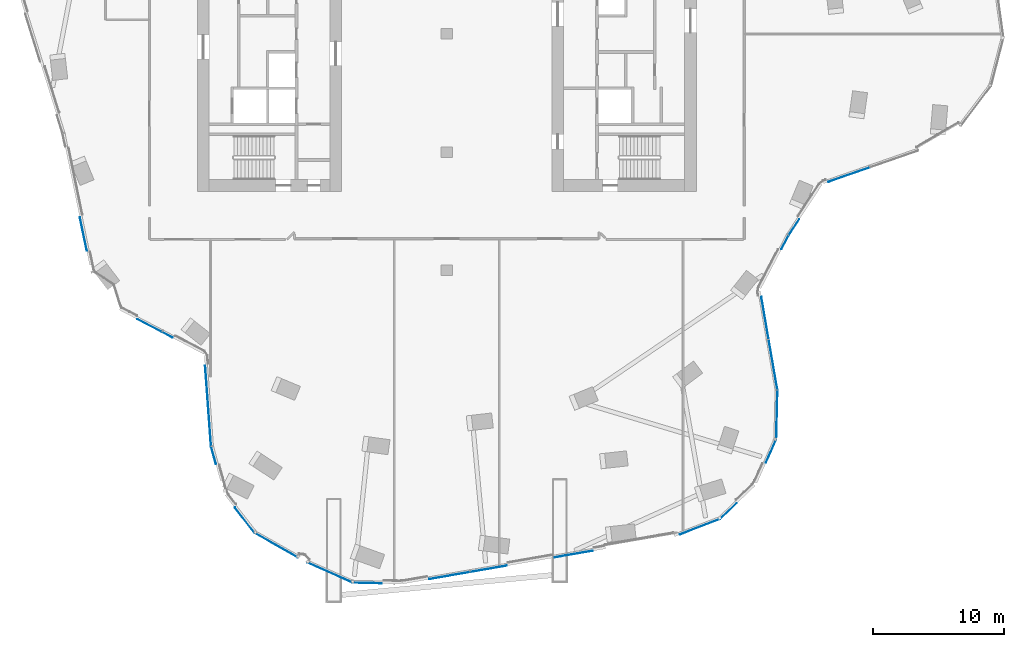
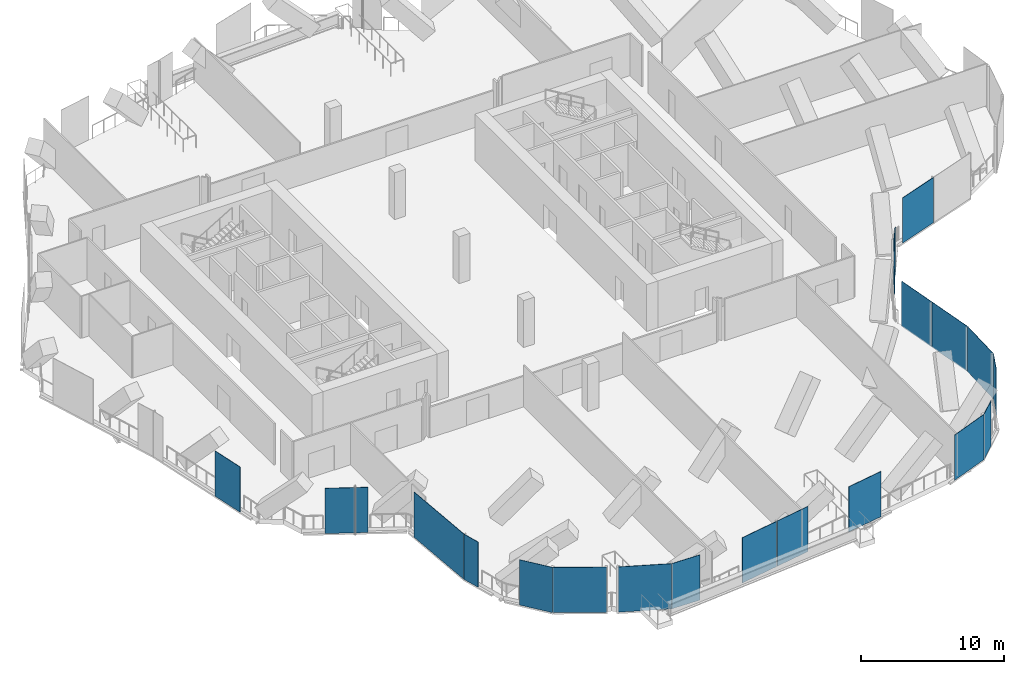
# One storey, part 14 of 26: 21 plates, 17 elements without a shape of their own.
"""IFC4 building model written with IfcOpenShell, lengths in metres."""

from ifc_helpers import new_model, si_unit, direction, frame, origin, origin_2d, place, context, subcontext, project, spatial, rectangle, extrude, material, layer, layer_set, type_object, element, aggregate, save


model = new_model("IFC4")

# Units and contexts
model_context = context("Model", 3, precision=1e-05, world=origin(), true_north=direction((0.0, 1.0)))
body_context = subcontext(model_context, "Body", "Model", "MODEL_VIEW")
ifc_project = project(units=[si_unit("LENGTHUNIT", "METRE"), si_unit("AREAUNIT", "SQUARE_METRE"), si_unit("VOLUMEUNIT", "CUBIC_METRE"), si_unit("PLANEANGLEUNIT", "RADIAN"), si_unit("MASSUNIT", "GRAM", prefix="KILO")], contexts=[model_context])

# Site, building, storey
site_placement = place(None, origin())
site = spatial("IfcSite", under=ifc_project, at=site_placement, CompositionType="ELEMENT")
building_placement = place(site_placement, origin())
building = spatial("IfcBuilding", under=site, at=building_placement, Name="Orlundy Tower", CompositionType="ELEMENT")
storey_placement = place(building_placement, frame((0.0, 0.0, 249.5)))
storey = spatial("IfcBuildingStorey", under=building, at=storey_placement, Name="L66", CompositionType="ELEMENT", Elevation=249.5)

# Curtain wall, plate
ifc_material_1 = material(Name="Aluminium bronze anodised", Category="aluminium")
curtain_wall_type = type_object("IfcCurtainWallType", Name="CW5 wall", PredefinedType="NOTDEFINED", material=ifc_material_1)
curtain_wall_1_placement = place(storey_placement, origin())
curtain_wall_1 = element("IfcCurtainWall", 1, at=curtain_wall_1_placement, inside=storey, type_object=curtain_wall_type, Name="CW5 run 02", PredefinedType="NOTDEFINED")
ifc_material_2 = material(Name="Tinted glass", Category="glass")
ifc_layer_1 = layer(ifc_material_2, 0.031982421875)
ifc_layer_set_1 = layer_set([ifc_layer_1], Name="CW5 glass panel 32")
plate_type_1 = type_object("IfcPlateType", Name="CW5 glass panel 32", PredefinedType="CURTAIN_PANEL", material=ifc_layer_set_1)
plate_1_placement = place(storey_placement, frame((-27.675048828125, -15.232666015625, -0.2802734375), z_axis=(0.0, 0.0, 1.0), x_axis=(-0.202194510718, 0.979345383323, 0.0)))
plate_1 = element("IfcPlate", 2, at=plate_1_placement, type_object=plate_type_1, Name="CW5 panel", PredefinedType="CURTAIN_PANEL", context=body_context, shape_type="SweptSolid", body=[
    extrude(rectangle(XDim=2.615478515625, YDim=0.031982421875, at=origin_2d()), origin(), (0.0, 0.0, 1.0), 3.860107421875),
])
aggregate(curtain_wall_1, [plate_1])

curtain_wall_2_placement = place(storey_placement, origin())
curtain_wall_2 = element("IfcCurtainWall", 3, at=curtain_wall_2_placement, inside=storey, type_object=curtain_wall_type, Name="CW5 run 029", PredefinedType="NOTDEFINED")
plate_2_placement = place(storey_placement, frame((26.449951171875, -14.712646484375, -0.2802734375), z_axis=(0.0, 0.0, 1.0), x_axis=(-0.549546997967, -0.835462804094, 0.0)))
plate_2 = element("IfcPlate", 4, at=plate_2_placement, type_object=plate_type_1, Name="CW5 panel", PredefinedType="CURTAIN_PANEL", context=body_context, shape_type="SweptSolid", body=[
    extrude(rectangle(XDim=1.443359375, YDim=0.031982421875, at=origin_2d()), origin(), (0.0, 0.0, 1.0), 3.860107421875),
])
aggregate(curtain_wall_2, [plate_2])

curtain_wall_3_placement = place(storey_placement, origin())
curtain_wall_3 = element("IfcCurtainWall", 5, at=curtain_wall_3_placement, inside=storey, type_object=curtain_wall_type, Name="CW5 run 030", PredefinedType="NOTDEFINED")
plate_3_placement = place(storey_placement, frame((25.754638671875, -15.88037109375, -0.2802734375), z_axis=(0.0, 0.0, 1.0), x_axis=(-0.464273870718, -0.885691691825, 0.0)))
plate_3 = element("IfcPlate", 6, at=plate_3_placement, type_object=plate_type_1, Name="CW5 panel", PredefinedType="CURTAIN_PANEL", context=body_context, shape_type="SweptSolid", body=[
    extrude(rectangle(XDim=1.17822265625, YDim=0.031982421875, at=origin_2d()), origin(), (0.0, 0.0, 1.0), 3.860107421875),
])
aggregate(curtain_wall_3, [plate_3])

curtain_wall_4_placement = place(storey_placement, origin())
curtain_wall_4 = element("IfcCurtainWall", 7, at=curtain_wall_4_placement, inside=storey, type_object=curtain_wall_type, Name="CW5 run 031", PredefinedType="NOTDEFINED")
plate_4_placement = place(storey_placement, frame((24.8505859375, -25.18896484375, -0.2802734375), z_axis=(0.0, 0.0, 1.0), x_axis=(0.170728522047, -0.985318106887, 0.0)))
plate_4 = element("IfcPlate", 8, at=plate_4_placement, type_object=plate_type_1, Name="CW5 panel", PredefinedType="CURTAIN_PANEL", context=body_context, shape_type="SweptSolid", body=[
    extrude(rectangle(XDim=3.860107421875, YDim=0.031982421875, at=origin_2d()), origin(), (0.0, 0.0, 1.0), 3.860107421875),
])

curtain_wall_5_placement = place(storey_placement, origin())
curtain_wall_5 = element("IfcCurtainWall", 9, at=curtain_wall_5_placement, inside=storey, type_object=curtain_wall_type, Name="CW5 run 032", PredefinedType="NOTDEFINED")
plate_5_placement = place(storey_placement, frame((25.137939453125, -29.0078125, -0.2802734375), z_axis=(0.0, 0.0, 1.0), x_axis=(-0.024553998372, -0.999698505132, 0.0)))
plate_5 = element("IfcPlate", 10, at=plate_5_placement, type_object=plate_type_1, Name="CW5 panel", PredefinedType="CURTAIN_PANEL", context=body_context, shape_type="SweptSolid", body=[
    extrude(rectangle(XDim=3.735595703125, YDim=0.031982421875, at=origin_2d()), origin(), (0.0, 0.0, 1.0), 3.860107421875),
])
aggregate(curtain_wall_5, [plate_5])

curtain_wall_6_placement = place(storey_placement, origin())
curtain_wall_6 = element("IfcCurtainWall", 11, at=curtain_wall_6_placement, inside=storey, type_object=curtain_wall_type, Name="CW5 run 034", PredefinedType="NOTDEFINED")
plate_6_placement = place(storey_placement, frame((21.45166015625, -36.336669921875, -0.2802734375), z_axis=(0.0, 0.0, 1.0), x_axis=(-0.7244266007, -0.689351942188, 0.0)))
plate_6 = element("IfcPlate", 12, at=plate_6_placement, type_object=plate_type_1, Name="CW5 panel", PredefinedType="CURTAIN_PANEL", context=body_context, shape_type="SweptSolid", body=[
    extrude(rectangle(XDim=1.740234375, YDim=0.031982421875, at=origin_2d()), origin(), (0.0, 0.0, 1.0), 3.860107421875),
])
aggregate(curtain_wall_6, [plate_6])

curtain_wall_7_placement = place(storey_placement, origin())
curtain_wall_7 = element("IfcCurtainWall", 13, at=curtain_wall_7_placement, inside=storey, type_object=curtain_wall_type, Name="CW5 run 035", PredefinedType="NOTDEFINED")
plate_7_placement = place(storey_placement, frame((19.291748046875, -37.5263671875, -0.2802734375), z_axis=(0.0, 0.0, 1.0), x_axis=(-0.933018476944, -0.359828461467, 0.0)))
plate_7 = element("IfcPlate", 14, at=plate_7_placement, type_object=plate_type_1, Name="CW5 panel", PredefinedType="CURTAIN_PANEL", context=body_context, shape_type="SweptSolid", body=[
    extrude(rectangle(XDim=3.279052734375, YDim=0.031982421875, at=origin_2d()), origin(), (0.0, 0.0, 1.0), 3.860107421875),
])
aggregate(curtain_wall_7, [plate_7])

# Curtain wall, plates
curtain_wall_8_placement = place(storey_placement, origin())
curtain_wall_8 = element("IfcCurtainWall", 15, at=curtain_wall_8_placement, inside=storey, type_object=curtain_wall_type, Name="CW5 run 036", PredefinedType="NOTDEFINED")
plate_8_placement = place(storey_placement, frame((9.65966796875, -39.6162109375, -0.2802734375), z_axis=(0.0, 0.0, 1.0), x_axis=(-0.985311546096, -0.170766381732, 0.0)))
plate_8 = element("IfcPlate", 16, at=plate_8_placement, type_object=plate_type_1, Name="CW5 panel", PredefinedType="CURTAIN_PANEL", context=body_context, shape_type="SweptSolid", body=[
    extrude(rectangle(XDim=2.946044921875, YDim=0.031982421875, at=origin_2d()), origin(), (0.0, 0.0, 1.0), 3.860107421875),
])
plate_9_placement = place(storey_placement, frame((3.184326171875, -40.738525390625, -0.2802734375), z_axis=(0.0, 0.0, 1.0), x_axis=(-0.985311546096, -0.170766381732, 0.0)))
plate_9 = element("IfcPlate", 17, at=plate_9_placement, type_object=plate_type_1, Name="CW5 panel", PredefinedType="CURTAIN_PANEL", context=body_context, shape_type="SweptSolid", body=[
    extrude(rectangle(XDim=2.810546875, YDim=0.031982421875, at=origin_2d()), origin(), (0.0, 0.0, 1.0), 3.860107421875),
])

# Curtain wall, plate
curtain_wall_9_placement = place(storey_placement, origin())
curtain_wall_9 = element("IfcCurtainWall", 18, at=curtain_wall_9_placement, inside=storey, type_object=curtain_wall_type, Name="CW5 run 037", PredefinedType="NOTDEFINED")
plate_10_placement = place(storey_placement, frame((-6.0595703125, -41.8173828125, -0.2802734375), z_axis=(0.0, 0.0, 1.0), x_axis=(-0.999698667743, 0.024547376896, 0.0)))
plate_10 = element("IfcPlate", 19, at=plate_10_placement, type_object=plate_type_1, Name="CW5 panel", PredefinedType="CURTAIN_PANEL", context=body_context, shape_type="SweptSolid", body=[
    extrude(rectangle(XDim=2.23388671875, YDim=0.031982421875, at=origin_2d()), origin(), (0.0, 0.0, 1.0), 3.860107421875),
])
aggregate(curtain_wall_9, [plate_10])

curtain_wall_10_placement = place(storey_placement, origin())
curtain_wall_10 = element("IfcCurtainWall", 20, at=curtain_wall_10_placement, inside=storey, type_object=curtain_wall_type, Name="CW5 run 038", PredefinedType="NOTDEFINED")
plate_11_placement = place(storey_placement, frame((-8.903564453125, -41.023681640625, -0.2802734375), z_axis=(0.0, 0.0, 1.0), x_axis=(-0.914089480805, 0.405512541213, 0.0)))
plate_11 = element("IfcPlate", 21, at=plate_11_placement, type_object=plate_type_1, Name="CW5 panel", PredefinedType="CURTAIN_PANEL", context=body_context, shape_type="SweptSolid", body=[
    extrude(rectangle(XDim=3.779541015625, YDim=0.031982421875, at=origin_2d()), origin(), (0.0, 0.0, 1.0), 3.860107421875),
])
aggregate(curtain_wall_10, [plate_11])

curtain_wall_11_placement = place(storey_placement, origin())
curtain_wall_11 = element("IfcCurtainWall", 22, at=curtain_wall_11_placement, inside=storey, type_object=curtain_wall_type, Name="CW5 run 041", PredefinedType="NOTDEFINED")
plate_12_placement = place(storey_placement, frame((-12.9833984375, -38.946044921875, -0.2802734375), z_axis=(0.0, 0.0, 1.0), x_axis=(-0.869601381531, 0.493754430095, 0.0)))
plate_12 = element("IfcPlate", 23, at=plate_12_placement, type_object=plate_type_1, Name="CW5 panel", PredefinedType="CURTAIN_PANEL", context=body_context, shape_type="SweptSolid", body=[
    extrude(rectangle(XDim=3.779541015625, YDim=0.031982421875, at=origin_2d()), origin(), (0.0, 0.0, 1.0), 3.860107421875),
])
aggregate(curtain_wall_11, [plate_12])

curtain_wall_12_placement = place(storey_placement, origin())
curtain_wall_12 = element("IfcCurtainWall", 24, at=curtain_wall_12_placement, inside=storey, type_object=curtain_wall_type, Name="CW5 run 043", PredefinedType="NOTDEFINED")
plate_13_placement = place(storey_placement, frame((-17.760009765625, -32.091552734375, -0.2802734375), z_axis=(0.0, 0.0, 1.0), x_axis=(-0.265764722051, 0.964037920682, 0.0)))
plate_13 = element("IfcPlate", 25, at=plate_13_placement, type_object=plate_type_1, Name="CW5 panel", PredefinedType="CURTAIN_PANEL", context=body_context, shape_type="SweptSolid", body=[
    extrude(rectangle(XDim=1.373046875, YDim=0.031982421875, at=origin_2d()), origin(), (0.0, 0.0, 1.0), 3.860107421875),
])
aggregate(curtain_wall_12, [plate_13])

curtain_wall_13_placement = place(storey_placement, origin())
curtain_wall_13 = element("IfcCurtainWall", 26, at=curtain_wall_13_placement, inside=storey, type_object=curtain_wall_type, Name="CW5 run 044", PredefinedType="NOTDEFINED")
plate_14_placement = place(storey_placement, frame((-18.17431640625, -28.31787109375, -0.2802734375), z_axis=(0.0, 0.0, 1.0), x_axis=(-0.072757131173, 0.997349687855, 0.0)))
plate_14 = element("IfcPlate", 27, at=plate_14_placement, type_object=plate_type_1, Name="CW5 panel", PredefinedType="CURTAIN_PANEL", context=body_context, shape_type="SweptSolid", body=[
    extrude(rectangle(XDim=6.14111328125, YDim=0.031982421875, at=origin_2d()), origin(), (0.0, 0.0, 1.0), 3.860107421875),
])
aggregate(curtain_wall_13, [plate_14])

curtain_wall_14_placement = place(storey_placement, origin())
curtain_wall_14 = element("IfcCurtainWall", 28, at=curtain_wall_14_placement, inside=storey, type_object=curtain_wall_type, Name="CW5 run 045", PredefinedType="NOTDEFINED")
plate_15_placement = place(storey_placement, frame((-22.638671875, -22.211669921875, -0.2802734375), z_axis=(0.0, 0.0, 1.0), x_axis=(-0.88565945394, 0.464335365493, 0.0)))
plate_15 = element("IfcPlate", 29, at=plate_15_placement, type_object=plate_type_1, Name="CW5 panel", PredefinedType="CURTAIN_PANEL", context=body_context, shape_type="SweptSolid", body=[
    extrude(rectangle(XDim=2.080810546875, YDim=0.031982421875, at=origin_2d()), origin(), (0.0, 0.0, 1.0), 3.860107421875),
])

curtain_wall_15_placement = place(storey_placement, origin())
curtain_wall_15 = element("IfcCurtainWall", 30, at=curtain_wall_15_placement, inside=storey, type_object=curtain_wall_type, Name="CW5 run 028", PredefinedType="NOTDEFINED")
ifc_material_3 = material(Name="Tinted glass", Category="glass")
ifc_layer_2 = layer(ifc_material_3, 0.031982421875)
ifc_layer_set_2 = layer_set([ifc_layer_2], Name="CW5 vent panel 32")
plate_type_2 = type_object("IfcPlateType", Name="CW5 vent panel 32", PredefinedType="CURTAIN_PANEL", material=ifc_layer_set_2)
plate_16_placement = place(storey_placement, frame((30.638671875, -10.718994140625, -0.2802734375), z_axis=(0.0, 0.0, 1.0), x_axis=(-0.944599002584, -0.328226635601, 0.0)))
plate_16 = element("IfcPlate", 31, at=plate_16_placement, type_object=plate_type_2, Name="CW5 panel", PredefinedType="CURTAIN_PANEL", context=body_context, shape_type="SweptSolid", body=[
    extrude(rectangle(XDim=3.3232421875, YDim=0.031982421875, at=origin_2d()), origin(), (0.0, 0.0, 1.0), 3.860107421875),
])
aggregate(curtain_wall_15, [plate_16])

# Plate
plate_17_placement = place(storey_placement, frame((24.2353515625, -21.6376953125, -0.2802734375), z_axis=(0.0, 0.0, 1.0), x_axis=(0.170728522047, -0.985318106887, 0.0)))
plate_17 = element("IfcPlate", 32, at=plate_17_placement, type_object=plate_type_2, Name="CW5 panel", PredefinedType="CURTAIN_PANEL", context=body_context, shape_type="SweptSolid", body=[
    extrude(rectangle(XDim=3.248291015625, YDim=0.031982421875, at=origin_2d()), origin(), (0.0, 0.0, 1.0), 3.860107421875),
])

aggregate(curtain_wall_4, [plate_17, plate_4])

# Curtain wall, plate
curtain_wall_16_placement = place(storey_placement, origin())
curtain_wall_16 = element("IfcCurtainWall", 33, at=curtain_wall_16_placement, inside=storey, type_object=curtain_wall_type, Name="CW5 run 033", PredefinedType="NOTDEFINED")
plate_18_placement = place(storey_placement, frame((24.6953125, -31.769775390625, -0.2802734375), z_axis=(0.0, 0.0, 1.0), x_axis=(-0.405412554633, -0.914133830763, 0.0)))
plate_18 = element("IfcPlate", 34, at=plate_18_placement, type_object=plate_type_2, Name="CW5 panel", PredefinedType="CURTAIN_PANEL", context=body_context, shape_type="SweptSolid", body=[
    extrude(rectangle(XDim=1.957275390625, YDim=0.031982421875, at=origin_2d()), origin(), (0.0, 0.0, 1.0), 3.860107421875),
])
aggregate(curtain_wall_16, [plate_18])

# Plate
plate_19_placement = place(storey_placement, frame((0.2060546875, -41.254638671875, -0.2802734375), z_axis=(0.0, 0.0, 1.0), x_axis=(-0.985311546096, -0.170766381732, 0.0)))
plate_19 = element("IfcPlate", 35, at=plate_19_placement, type_object=plate_type_2, Name="CW5 panel", PredefinedType="CURTAIN_PANEL", context=body_context, shape_type="SweptSolid", body=[
    extrude(rectangle(XDim=3.135009765625, YDim=0.031982421875, at=origin_2d()), origin(), (0.0, 0.0, 1.0), 3.860107421875),
])

aggregate(curtain_wall_8, [plate_8, plate_9, plate_19])

# Curtain wall, plate
curtain_wall_17_placement = place(storey_placement, origin())
curtain_wall_17 = element("IfcCurtainWall", 36, at=curtain_wall_17_placement, inside=storey, type_object=curtain_wall_type, Name="CW5 run 042", PredefinedType="NOTDEFINED")
plate_20_placement = place(storey_placement, frame((-15.3828125, -37.04248046875, -0.2802734375), z_axis=(0.0, 0.0, 1.0), x_axis=(-0.614575452611, 0.788858043661, 0.0)))
plate_20 = element("IfcPlate", 37, at=plate_20_placement, type_object=plate_type_2, Name="CW5 panel", PredefinedType="CURTAIN_PANEL", context=body_context, shape_type="SweptSolid", body=[
    extrude(rectangle(XDim=2.46044921875, YDim=0.031982421875, at=origin_2d()), origin(), (0.0, 0.0, 1.0), 3.860107421875),
])
aggregate(curtain_wall_17, [plate_20])

# Plate
plate_21_placement = place(storey_placement, frame((-21.28271484375, -22.922607421875, -0.2802734375), z_axis=(0.0, 0.0, 1.0), x_axis=(-0.88565945394, 0.464335365493, 0.0)))
plate_21 = element("IfcPlate", 38, at=plate_21_placement, type_object=plate_type_2, Name="CW5 panel", PredefinedType="CURTAIN_PANEL", context=body_context, shape_type="SweptSolid", body=[
    extrude(rectangle(XDim=0.880615234375, YDim=0.031982421875, at=origin_2d()), origin(), (0.0, 0.0, 1.0), 3.860107421875),
])

aggregate(curtain_wall_14, [plate_21, plate_15])

save(model, "model.ifc")
